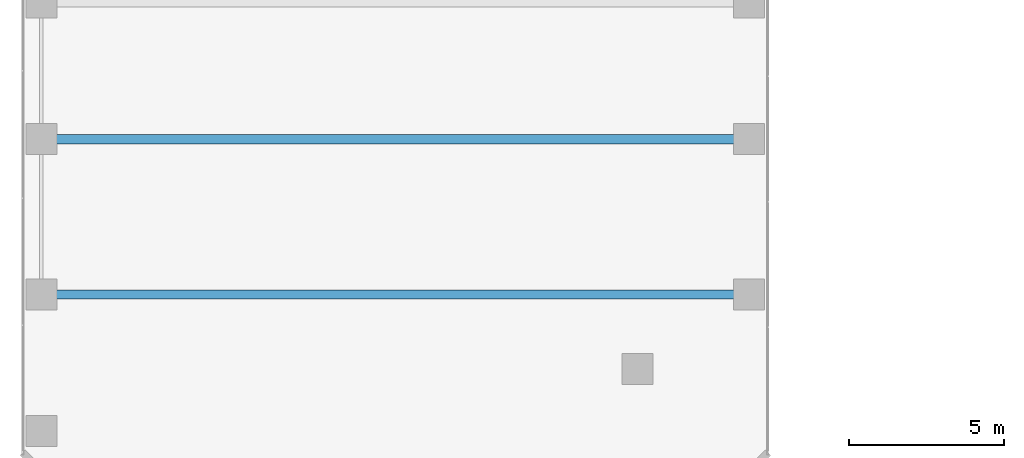
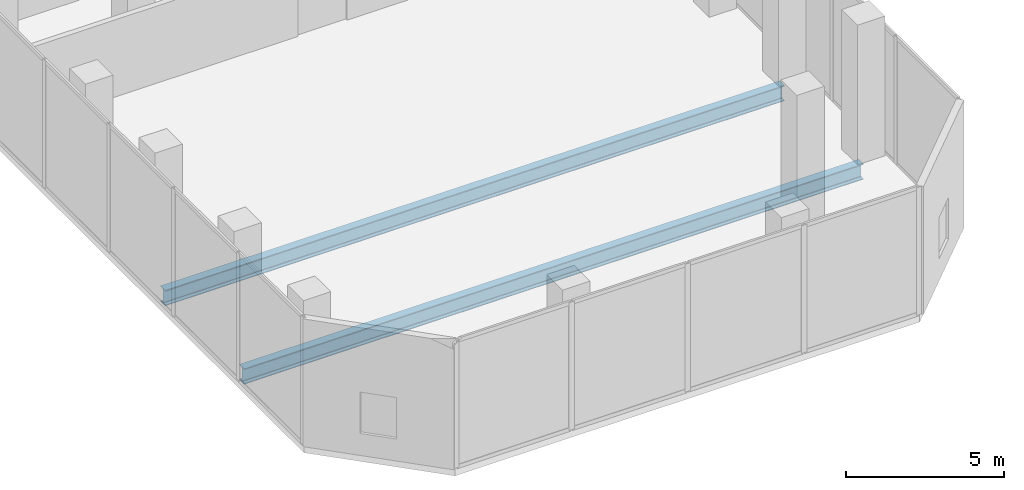
# One storey, part 4 of 24: 2 beams.
"""IFC4 building model written with IfcOpenShell, lengths in metres."""

from ifc_helpers import new_model, si_unit, direction, frame, origin, origin_2d, place, context, subcontext, project, spatial, i_section, extrude, material, material_profile, profile_set, type_object, element, save


model = new_model("IFC4")

# Units and contexts
model_context = context("Model", 3, precision=1e-05, world=origin(), true_north=direction((0.0, 1.0)))
body_context = subcontext(model_context, "Body", "Model", "MODEL_VIEW")
ifc_project = project(units=[si_unit("LENGTHUNIT", "METRE"), si_unit("AREAUNIT", "SQUARE_METRE"), si_unit("VOLUMEUNIT", "CUBIC_METRE"), si_unit("PLANEANGLEUNIT", "RADIAN"), si_unit("MASSUNIT", "GRAM", prefix="KILO")], contexts=[model_context])

# Site, building, storey
site_placement = place(None, origin())
site = spatial("IfcSite", under=ifc_project, at=site_placement, CompositionType="ELEMENT")
building_placement = place(site_placement, origin())
building = spatial("IfcBuilding", under=site, at=building_placement, Name="Catumbela Crestline Tower", CompositionType="ELEMENT")
storey_placement = place(building_placement, frame((0.0, 0.0, 15.9)))
storey = spatial("IfcBuildingStorey", under=building, at=storey_placement, Name="L03", CompositionType="ELEMENT", Elevation=15.9)

# Beams
ifc_material = material(Name="Structural steel S355J2", Category="steel")
ifc_material_profile = material_profile(ifc_material, i_section(OverallWidth=0.3, OverallDepth=0.6, WebThickness=0.0155, FlangeThickness=0.03, FilletRadius=0.027, at=origin_2d()), Name="HEB 600")
ifc_profile_set = profile_set([ifc_material_profile], Name="Structural steel S355J2")
beam_type = type_object("IfcBeamType", Name="BG-HEB600", PredefinedType="BEAM", material=ifc_profile_set)
for number, where, z_axis, x_axis, name in (
    (1, (0.68, 8.6, -0.62), (1.0, 0.0, 0.0), (0.0, 1.0, 0.0), "L03 Beam BM-L03-BLR43"),
    (2, (0.68, 13.6, -0.62), (1.0, 0.0, 0.0), (0.0, 1.0, 0.0), "L03 Beam BM-L03-BLR44"),
):
    element("IfcBeam", number, at=place(storey_placement, frame(where, z_axis=z_axis, x_axis=x_axis)), inside=storey, type_object=beam_type, Name=name, PredefinedType="BEAM", context=body_context, shape_type="SweptSolid", body=[
        extrude(i_section(OverallWidth=0.3, OverallDepth=0.6, WebThickness=0.0155, FlangeThickness=0.03, FilletRadius=0.027, at=origin_2d()), origin(), (0.0, 0.0, 1.0), 22.64),
    ])

save(model, "model.ifc")
